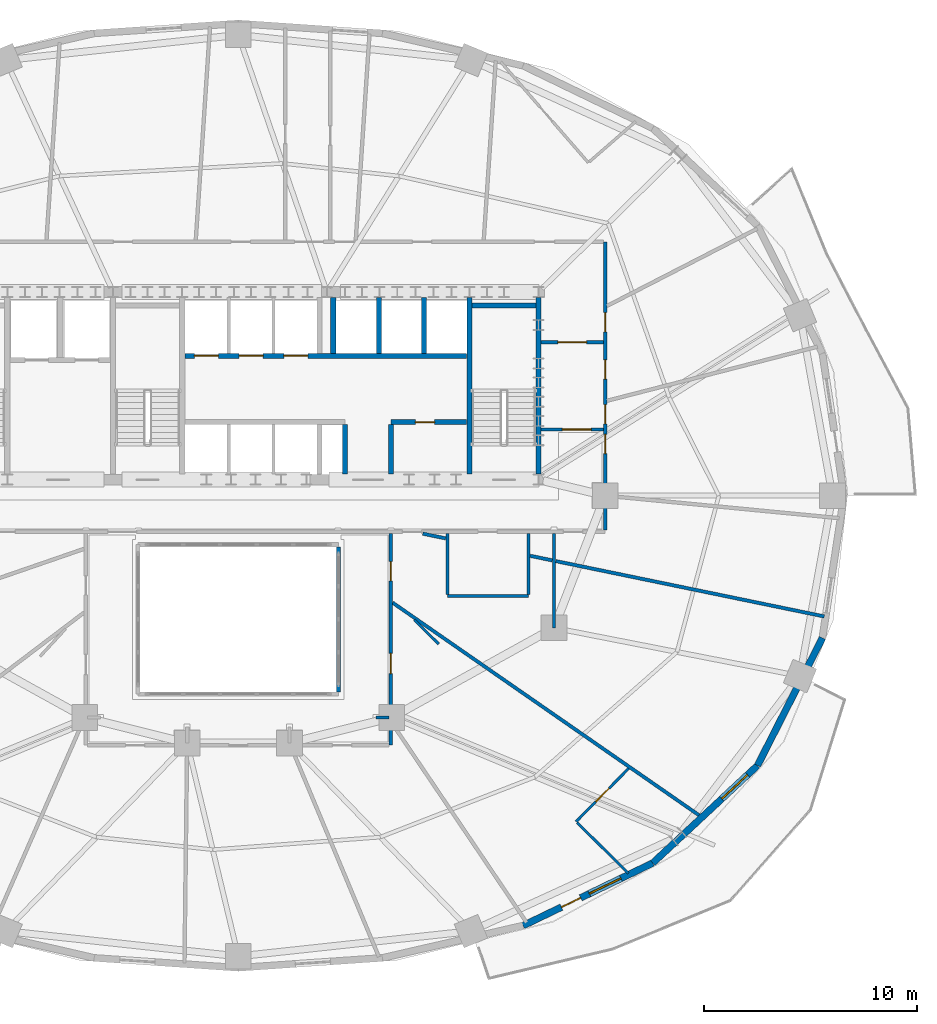
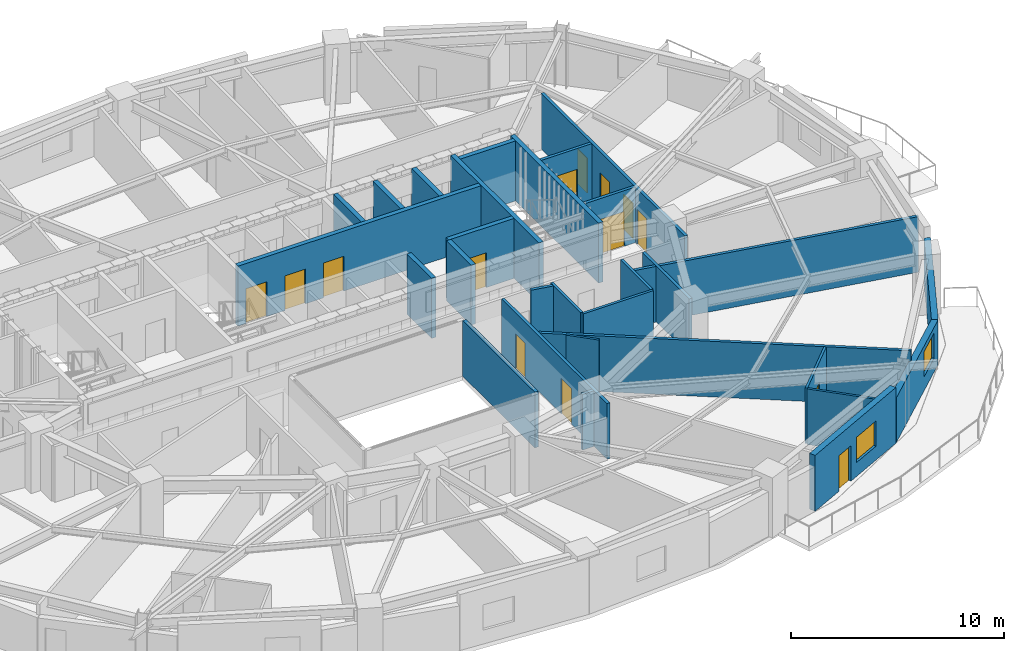
# One storey, part 9 of 14: 30 walls, 14 doors, 2 windows, 16 openings.
"""IFC4 building model written with IfcOpenShell, lengths in metres."""

from ifc_helpers import new_model, si_unit, direction, frame, frame_2d, origin, place, context, subcontext, project, spatial, rectangle, extrude, material, layer, layer_set, type_object, element, fill, save


model = new_model("IFC4")

# Units and contexts
model_context = context("Model", 3, precision=1e-05, world=origin(), true_north=direction((0.0, 1.0)))
body_context = subcontext(model_context, "Body", "Model", "MODEL_VIEW")
ifc_project = project(units=[si_unit("LENGTHUNIT", "METRE"), si_unit("AREAUNIT", "SQUARE_METRE"), si_unit("VOLUMEUNIT", "CUBIC_METRE"), si_unit("PLANEANGLEUNIT", "RADIAN"), si_unit("MASSUNIT", "GRAM", prefix="KILO")], contexts=[model_context])

# Site, building, storey
site_placement = place(None, origin())
site = spatial("IfcSite", under=ifc_project, at=site_placement, CompositionType="ELEMENT")
building_placement = place(site_placement, origin())
building = spatial("IfcBuilding", under=site, at=building_placement, Name="Haldorwick Loom Tower", CompositionType="ELEMENT")
storey_placement = place(building_placement, frame((0.0, 0.0, 99.050048828125)))
storey = spatial("IfcBuildingStorey", under=building, at=storey_placement, Name="L26", CompositionType="ELEMENT", Elevation=99.050048828125)

# Wall, openings, door, window
ifc_material_1 = material(Name="Pressed Clay Face Brick and Insulated Masonry Backup Assembly", Category="masonry")
ifc_layer_1 = layer(ifc_material_1, 0.320068359375, Name="Pressed Clay Face Brick and Insulated Masonry Backup Assembly", Category="masonry")
ifc_layer_set_1 = layer_set([ifc_layer_1], Name="Pressed Clay Face Brick and Insulated Masonry Backup Assembly")
wall_type_1 = type_object("IfcWallType", Name="ARC-WL-EXT320", PredefinedType="STANDARD", material=ifc_layer_set_1)
wall_1_placement = place(storey_placement, frame((49.352783203125, 5.841552734375, 0.0), z_axis=(0.0, 0.0, 1.0), x_axis=(0.900510094661, 0.434835106004, 0.0)))
wall_1 = element("IfcWall", 1, at=wall_1_placement, inside=storey, type_object=wall_type_1, Name="L26 Brick Pier and Spandrel Wall 21", PredefinedType="STANDARD", context=body_context, shape_type="SweptSolid", body=[
    extrude(rectangle(XDim=6.744873046875, YDim=0.320068359375, at=frame_2d((3.37255859375, 0.0))), origin(), (0.0, 0.0, 1.0), 3.2099609375),
])
opening_1_placement = place(wall_1_placement, frame((1.994873046875, 0.0, 0.0)))
opening_1 = element("IfcOpeningElement", 2, at=opening_1_placement, cuts=wall_1, Name="Opening D-BL10", PredefinedType="OPENING", context=body_context, shape_type="SweptSolid", body=[
    extrude(rectangle(XDim=1.0, YDim=2.0400390625, at=frame_2d((0.5, 1.02001953125))), frame((0.0, 0.169921875, 0.0), z_axis=(0.0, -1.0, 0.0), x_axis=(1.0, 0.0, 0.0)), (0.0, 0.0, 1.0), 0.340087890625),
])
opening_2_placement = place(wall_1_placement, frame((3.4423828125, 0.0, 0.800048828125)))
opening_2 = element("IfcOpeningElement", 3, at=opening_2_placement, cuts=wall_1, Name="Opening W-01B", PredefinedType="OPENING", context=body_context, shape_type="SweptSolid", body=[
    extrude(rectangle(XDim=1.64990234375, YDim=1.449951171875, at=frame_2d((0.824951171875, 0.72509765625))), frame((0.0, 0.169921875, 0.0), z_axis=(0.0, -1.0, 0.0), x_axis=(1.0, 0.0, 0.0)), (0.0, 0.0, 1.0), 0.340087890625),
])
ifc_material_2 = material(Name="Thermally Broken Anodized Aluminium Curtain Wall Framing", Category="aluminium")
door_type_1 = type_object("IfcDoorType", Name="ARC-DR-BAL100", OperationType="NOTDEFINED", PredefinedType="DOOR", material=ifc_material_2)
door_1_placement = place(opening_1_placement, origin())
door_1 = element("IfcDoor", 4, at=door_1_placement, inside=storey, type_object=door_type_1, Name="L26 Outdoor Terrace Door SLB-L26-BAL_SE", OperationType="SINGLE_SWING_RIGHT", OverallHeight=2.0400390625, OverallWidth=1.0, PredefinedType="DOOR", context=body_context, shape_type="SweptSolid", body=[
    extrude(rectangle(XDim=1.0, YDim=2.0400390625, at=frame_2d((0.5, 1.02001953125))), frame((0.0, 0.02490234375, 0.0), z_axis=(0.0, -1.0, 0.0), x_axis=(1.0, 0.0, 0.0)), (0.0, 0.0, 1.0), 0.050048828125),
])
fill(opening_1, door_1)
ifc_material_3 = material(Name="Triple-Glazed Low-E Argon Insulated Glazing Unit", Category="glass")
window_type = type_object("IfcWindowType", Name="ARC-WIN-W165", PartitioningType="SINGLE_PANEL", PredefinedType="WINDOW", material=ifc_material_3)
window_1_placement = place(opening_2_placement, origin())
window_1 = element("IfcWindow", 5, at=window_1_placement, inside=storey, type_object=window_type, Name="L26 Deep-Set Zone 7A Window 21", OverallHeight=1.449951171875, OverallWidth=1.64990234375, PartitioningType="SINGLE_PANEL", PredefinedType="WINDOW", context=body_context, shape_type="SweptSolid", body=[
    extrude(rectangle(XDim=1.64990234375, YDim=1.449951171875, at=frame_2d((0.824951171875, 0.72509765625))), frame((0.0, 0.030029296875, 0.0), z_axis=(0.0, -1.0, 0.0), x_axis=(1.0, 0.0, 0.0)), (0.0, 0.0, 1.0), 0.06005859375),
])
fill(opening_2, window_1)

# Wall, opening, window
wall_2_placement = place(storey_placement, frame((55.426513671875, 8.7744140625, 0.0), z_axis=(0.0, 0.0, 1.0), x_axis=(0.732137360086, 0.681157020052, 0.0)))
wall_2 = element("IfcWall", 6, at=wall_2_placement, inside=storey, type_object=wall_type_1, Name="L26 Brick Pier and Spandrel Wall 22", PredefinedType="STANDARD", context=body_context, shape_type="SweptSolid", body=[
    extrude(rectangle(XDim=6.709228515625, YDim=0.320068359375, at=frame_2d((3.3544921875, 0.0))), origin(), (0.0, 0.0, 1.0), 2.56884765625),
])
opening_3_placement = place(wall_2_placement, frame((4.41943359375, 0.0, 0.800048828125)))
opening_3 = element("IfcOpeningElement", 7, at=opening_3_placement, cuts=wall_2, Name="Opening W-01B", PredefinedType="OPENING", context=body_context, shape_type="SweptSolid", body=[
    extrude(rectangle(XDim=1.64990234375, YDim=1.449951171875, at=frame_2d((0.824951171875, 0.72509765625))), frame((0.0, 0.169921875, 0.0), z_axis=(0.0, -1.0, 0.0), x_axis=(1.0, 0.0, 0.0)), (0.0, 0.0, 1.0), 0.340087890625),
])
window_2_placement = place(opening_3_placement, origin())
window_2 = element("IfcWindow", 8, at=window_2_placement, inside=storey, type_object=window_type, Name="L26 Deep-Set Zone 7A Window 22", OverallHeight=1.449951171875, OverallWidth=1.64990234375, PartitioningType="SINGLE_PANEL", PredefinedType="WINDOW", context=body_context, shape_type="SweptSolid", body=[
    extrude(rectangle(XDim=1.64990234375, YDim=1.449951171875, at=frame_2d((0.824951171875, 0.72509765625))), frame((0.0, 0.030029296875, 0.0), z_axis=(0.0, -1.0, 0.0), x_axis=(1.0, 0.0, 0.0)), (0.0, 0.0, 1.0), 0.06005859375),
])
fill(opening_3, window_2)

# Wall
wall_3_placement = place(storey_placement, frame((60.338623046875, 13.344482421875, 0.0), z_axis=(0.0, 0.0, 1.0), x_axis=(0.453374078001, 0.89132033826, 0.0)))
element("IfcWall", 9, at=wall_3_placement, inside=storey, type_object=wall_type_1, Name="L26 Brick Pier and Spandrel Wall 23", PredefinedType="STANDARD", context=body_context, shape_type="SweptSolid", body=[
    extrude(rectangle(XDim=6.709716796875, YDim=0.320068359375, at=frame_2d((3.35498046875, 0.0))), origin(), (0.0, 0.0, 1.0), 2.56884765625),
])

# Wall, openings, doors
ifc_material_4 = material(Name="Fire-Rated Type X Gypsum Stud Assembly EI 60")
ifc_layer_2 = layer(ifc_material_4, 0.159912109375, Name="Fire-Rated Type X Gypsum Stud Assembly EI 60")
ifc_layer_set_2 = layer_set([ifc_layer_2], Name="Fire-Rated Type X Gypsum Stud Assembly EI 60")
wall_type_2 = type_object("IfcWallType", Name="ARC-WL-FIRE160", PredefinedType="PARTITIONING", material=ifc_layer_set_2)
wall_4_placement = place(storey_placement, frame((53.199951171875, 24.383056640625, 0.0), z_axis=(0.0, 0.0, 1.0), x_axis=(0.0, 1.0, 0.0)))
wall_4 = element("IfcWall", 10, at=wall_4_placement, inside=storey, type_object=wall_type_2, Name="L26 Residential Fire Partition L26-CR-E0", PredefinedType="PARTITIONING", context=body_context, shape_type="SweptSolid", body=[
    extrude(rectangle(XDim=13.516845703125, YDim=0.159912109375, at=frame_2d((6.75830078125, 0.0))), origin(), (0.0, 0.0, 1.0), 3.195068359375),
])
opening_4_placement = place(wall_4_placement, frame((3.5908203125, 0.0, 0.0)))
opening_4 = element("IfcOpeningElement", 11, at=opening_4_placement, cuts=wall_4, Name="Opening D-FD60A", PredefinedType="OPENING", context=body_context, shape_type="SweptSolid", body=[
    extrude(rectangle(XDim=0.89990234375, YDim=2.0, at=frame_2d((0.449951171875, 1.0))), frame((0.0, 0.08984375, 0.0), z_axis=(0.0, -1.0, 0.0), x_axis=(1.0, 0.0, 0.0)), (0.0, 0.0, 1.0), 0.179931640625),
])
opening_5_placement = place(wall_4_placement, frame((7.083984375, 0.0, 0.0)))
opening_5 = element("IfcOpeningElement", 12, at=opening_5_placement, cuts=wall_4, Name="Opening D-FD60A", PredefinedType="OPENING", context=body_context, shape_type="SweptSolid", body=[
    extrude(rectangle(XDim=0.89990234375, YDim=2.0, at=frame_2d((0.449951171875, 1.0))), frame((0.0, 0.08984375, 0.0), z_axis=(0.0, -1.0, 0.0), x_axis=(1.0, 0.0, 0.0)), (0.0, 0.0, 1.0), 0.179931640625),
])
opening_6_placement = place(wall_4_placement, frame((9.300048828125, 0.0, 0.0)))
opening_6 = element("IfcOpeningElement", 13, at=opening_6_placement, cuts=wall_4, Name="Opening D-FD60A", PredefinedType="OPENING", context=body_context, shape_type="SweptSolid", body=[
    extrude(rectangle(XDim=0.89990234375, YDim=2.0, at=frame_2d((0.449951171875, 1.0))), frame((0.0, 0.08984375, 0.0), z_axis=(0.0, -1.0, 0.0), x_axis=(1.0, 0.0, 0.0)), (0.0, 0.0, 1.0), 0.179931640625),
])
opening_7_placement = place(wall_4_placement, frame((4.97900390625, 0.0, 0.0)))
opening_7 = element("IfcOpeningElement", 14, at=opening_7_placement, cuts=wall_4, Name="Opening D-FD60A", PredefinedType="OPENING", context=body_context, shape_type="SweptSolid", body=[
    extrude(rectangle(XDim=0.89990234375, YDim=2.0, at=frame_2d((0.449951171875, 1.0))), frame((0.0, 0.08984375, 0.0), z_axis=(0.0, -1.0, 0.0), x_axis=(1.0, 0.0, 0.0)), (0.0, 0.0, 1.0), 0.179931640625),
])
ifc_material_5 = material(Name="Hollow Steel Fire Door Assembly", Category="steel")
door_type_2 = type_object("IfcDoorType", Name="ARC-DR-FD60-90", OperationType="NOTDEFINED", PredefinedType="DOOR", material=ifc_material_5)
door_2_placement = place(opening_4_placement, origin())
door_2 = element("IfcDoor", 15, at=door_2_placement, inside=storey, type_object=door_type_2, Name="L26 L26 Central Residential Corridor to Co-Working Open Office 8 Door", OperationType="SINGLE_SWING_LEFT", OverallHeight=2.0, OverallWidth=0.89990234375, PredefinedType="DOOR", context=body_context, shape_type="SweptSolid", body=[
    extrude(rectangle(XDim=0.89990234375, YDim=2.0, at=frame_2d((0.449951171875, 1.0))), frame((0.0, 0.02490234375, 0.0), z_axis=(0.0, -1.0, 0.0), x_axis=(1.0, 0.0, 0.0)), (0.0, 0.0, 1.0), 0.050048828125),
])
fill(opening_4, door_2)
door_3_placement = place(opening_5_placement, origin())
door_3 = element("IfcDoor", 16, at=door_3_placement, inside=storey, type_object=door_type_2, Name="L26 L26 East Residential Corridor to Co-Working Open Office 9 Door", OperationType="SINGLE_SWING_RIGHT", OverallHeight=2.0, OverallWidth=0.89990234375, PredefinedType="DOOR", context=body_context, shape_type="SweptSolid", body=[
    extrude(rectangle(XDim=0.89990234375, YDim=2.0, at=frame_2d((0.449951171875, 1.0))), frame((0.0, 0.02490234375, 0.0), z_axis=(0.0, -1.0, 0.0), x_axis=(1.0, 0.0, 0.0)), (0.0, 0.0, 1.0), 0.050048828125),
])
fill(opening_5, door_3)
door_4_placement = place(opening_6_placement, origin())
door_4 = element("IfcDoor", 17, at=door_4_placement, inside=storey, type_object=door_type_2, Name="L26 L26 North Residential Corridor to Co-Working Open Office 9 Door", OperationType="SINGLE_SWING_RIGHT", OverallHeight=2.0, OverallWidth=0.89990234375, PredefinedType="DOOR", context=body_context, shape_type="SweptSolid", body=[
    extrude(rectangle(XDim=0.89990234375, YDim=2.0, at=frame_2d((0.449951171875, 1.0))), frame((0.0, 0.02490234375, 0.0), z_axis=(0.0, -1.0, 0.0), x_axis=(1.0, 0.0, 0.0)), (0.0, 0.0, 1.0), 0.050048828125),
])
fill(opening_6, door_4)
door_5_placement = place(opening_7_placement, origin())
door_5 = element("IfcDoor", 18, at=door_5_placement, inside=storey, type_object=door_type_2, Name="L26 L26 East Residential Corridor to Co-Working Open Office 8 Door", OperationType="SINGLE_SWING_LEFT", OverallHeight=2.0, OverallWidth=0.89990234375, PredefinedType="DOOR", context=body_context, shape_type="SweptSolid", body=[
    extrude(rectangle(XDim=0.89990234375, YDim=2.0, at=frame_2d((0.449951171875, 1.0))), frame((0.0, 0.02490234375, 0.0), z_axis=(0.0, -1.0, 0.0), x_axis=(1.0, 0.0, 0.0)), (0.0, 0.0, 1.0), 0.050048828125),
])
fill(opening_7, door_5)

# Wall, opening, door
wall_5_placement = place(storey_placement, frame((50.193115234375, 29.10009765625, 0.0), z_axis=(0.0, 0.0, 1.0), x_axis=(1.0, 0.0, 0.0)))
wall_5 = element("IfcWall", 19, at=wall_5_placement, inside=storey, type_object=wall_type_2, Name="L26 Residential Fire Partition L26-CR-ESJ", PredefinedType="PARTITIONING", context=body_context, shape_type="SweptSolid", body=[
    extrude(rectangle(XDim=2.923828125, YDim=0.159912109375, at=frame_2d((1.4619140625, 0.0))), origin(), (0.0, 0.0, 1.0), 3.195068359375),
])
opening_8_placement = place(wall_5_placement, frame((0.99560546875, 0.0, 0.0)))
opening_8 = element("IfcOpeningElement", 20, at=opening_8_placement, cuts=wall_5, Name="Opening D-CR15", PredefinedType="OPENING", context=body_context, shape_type="SweptSolid", body=[
    extrude(rectangle(XDim=1.35009765625, YDim=2.0, at=frame_2d((0.675048828125, 1.0))), frame((0.0, 0.08984375, 0.0), z_axis=(0.0, -1.0, 0.0), x_axis=(1.0, 0.0, 0.0)), (0.0, 0.0, 1.0), 0.179931640625),
])
ifc_material_6 = material(Name="Thermally Broken Anodized Aluminium and Tempered Glass", Category="aluminium")
door_type_3 = type_object("IfcDoorType", Name="ARC-DR-COR150", OperationType="NOTDEFINED", PredefinedType="DOOR", material=ifc_material_6)
door_6_placement = place(opening_8_placement, origin())
door_6 = element("IfcDoor", 21, at=door_6_placement, inside=storey, type_object=door_type_3, Name="L26 L26 East Residential Corridor to L26 Central Residential Corridor Do", OperationType="DOUBLE_DOOR_SINGLE_SWING", OverallHeight=2.0, OverallWidth=1.35009765625, PredefinedType="DOOR", context=body_context, shape_type="SweptSolid", body=[
    extrude(rectangle(XDim=1.35009765625, YDim=2.0, at=frame_2d((0.675048828125, 1.0))), frame((0.0, 0.02490234375, 0.0), z_axis=(0.0, -1.0, 0.0), x_axis=(1.0, 0.0, 0.0)), (0.0, 0.0, 1.0), 0.050048828125),
])
fill(opening_8, door_6)

wall_6_placement = place(storey_placement, frame((50.193115234375, 33.199951171875, 0.0), z_axis=(0.0, 0.0, 1.0), x_axis=(1.0, 0.0, 0.0)))
wall_6 = element("IfcWall", 22, at=wall_6_placement, inside=storey, type_object=wall_type_2, Name="L26 Residential Fire Partition L26-CR-ENJ", PredefinedType="PARTITIONING", context=body_context, shape_type="SweptSolid", body=[
    extrude(rectangle(XDim=2.923828125, YDim=0.159912109375, at=frame_2d((1.4619140625, 0.0))), origin(), (0.0, 0.0, 1.0), 3.195068359375),
])
opening_9_placement = place(wall_6_placement, frame((0.787109375, 0.0, 0.0)))
opening_9 = element("IfcOpeningElement", 23, at=opening_9_placement, cuts=wall_6, Name="Opening D-CR15", PredefinedType="OPENING", context=body_context, shape_type="SweptSolid", body=[
    extrude(rectangle(XDim=1.35009765625, YDim=2.0, at=frame_2d((0.675048828125, 1.0))), frame((0.0, 0.08984375, 0.0), z_axis=(0.0, -1.0, 0.0), x_axis=(1.0, 0.0, 0.0)), (0.0, 0.0, 1.0), 0.179931640625),
])
door_7_placement = place(opening_9_placement, origin())
door_7 = element("IfcDoor", 24, at=door_7_placement, inside=storey, type_object=door_type_3, Name="L26 L26 North Residential Corridor to L26 East Residential Corridor Door", OperationType="DOUBLE_DOOR_SINGLE_SWING", OverallHeight=2.0, OverallWidth=1.35009765625, PredefinedType="DOOR", context=body_context, shape_type="SweptSolid", body=[
    extrude(rectangle(XDim=1.35009765625, YDim=2.0, at=frame_2d((0.675048828125, 1.0))), frame((0.0, 0.02490234375, 0.0), z_axis=(0.0, -1.0, 0.0), x_axis=(1.0, 0.0, 0.0)), (0.0, 0.0, 1.0), 0.050048828125),
])
fill(opening_9, door_7)

# Wall, openings, doors
wall_7_placement = place(storey_placement, frame((43.14990234375, 14.300048828125, 0.0), z_axis=(0.0, 0.0, 1.0), x_axis=(0.0, 1.0, 0.0)))
wall_7 = element("IfcWall", 25, at=wall_7_placement, inside=storey, type_object=wall_type_2, Name="L26 Residential Fire Partition L26-CR-AE", PredefinedType="PARTITIONING", context=body_context, shape_type="SweptSolid", body=[
    extrude(rectangle(XDim=9.9169921875, YDim=0.159912109375, at=frame_2d((4.95849609375, 0.0))), origin(), (0.0, 0.0, 1.0), 3.195068359375),
])
opening_10_placement = place(wall_7_placement, frame((3.349853515625, 0.0, 0.0)))
opening_10 = element("IfcOpeningElement", 26, at=opening_10_placement, cuts=wall_7, Name="Opening D-FL95", PredefinedType="OPENING", context=body_context, shape_type="SweptSolid", body=[
    extrude(rectangle(XDim=0.949951171875, YDim=2.0400390625, at=frame_2d((0.47509765625, 1.02001953125))), frame((0.0, 0.08984375, 0.0), z_axis=(0.0, -1.0, 0.0), x_axis=(1.0, 0.0, 0.0)), (0.0, 0.0, 1.0), 0.179931640625),
])
opening_11_placement = place(wall_7_placement, frame((7.7041015625, 0.0, 0.0)))
opening_11 = element("IfcOpeningElement", 27, at=opening_11_placement, cuts=wall_7, Name="Opening D-FD60A", PredefinedType="OPENING", context=body_context, shape_type="SweptSolid", body=[
    extrude(rectangle(XDim=0.89990234375, YDim=2.0, at=frame_2d((0.449951171875, 1.0))), frame((0.0, 0.08984375, 0.0), z_axis=(0.0, -1.0, 0.0), x_axis=(1.0, 0.0, 0.0)), (0.0, 0.0, 1.0), 0.179931640625),
])
door_8_placement = place(opening_11_placement, origin())
door_8 = element("IfcDoor", 28, at=door_8_placement, inside=storey, type_object=door_type_2, Name="L26 L26 South Atrium Corridor to Co-Working Open Office 15 Door", OperationType="SINGLE_SWING_RIGHT", OverallHeight=2.0, OverallWidth=0.89990234375, PredefinedType="DOOR", context=body_context, shape_type="SweptSolid", body=[
    extrude(rectangle(XDim=0.89990234375, YDim=2.0, at=frame_2d((0.449951171875, 1.0))), frame((0.0, 0.02490234375, 0.0), z_axis=(0.0, -1.0, 0.0), x_axis=(1.0, 0.0, 0.0)), (0.0, 0.0, 1.0), 0.050048828125),
])
fill(opening_11, door_8)
ifc_material_7 = material(Name="Solid Core Birch Architectural Door")
door_type_4 = type_object("IfcDoorType", Name="ARC-DR-FLAT95", OperationType="NOTDEFINED", PredefinedType="DOOR", material=ifc_material_7)
door_9_placement = place(opening_10_placement, origin())
door_9 = element("IfcDoor", 29, at=door_9_placement, inside=storey, type_object=door_type_4, Name="L26 L26 South Atrium Corridor to Unit 26N Kitchen and Studio Living Room", OperationType="SINGLE_SWING_RIGHT", OverallHeight=2.0400390625, OverallWidth=0.949951171875, PredefinedType="DOOR", context=body_context, shape_type="SweptSolid", body=[
    extrude(rectangle(XDim=0.949951171875, YDim=2.0400390625, at=frame_2d((0.47509765625, 1.02001953125))), frame((0.0, 0.02490234375, 0.0), z_axis=(0.0, -1.0, 0.0), x_axis=(1.0, 0.0, 0.0)), (0.0, 0.0, 1.0), 0.050048828125),
])
fill(opening_10, door_9)

# Walls
wall_8_placement = place(storey_placement, frame((50.800048828125, 24.217041015625, 0.0), z_axis=(0.0, 0.0, 1.0), x_axis=(0.0, -1.0, 0.0)))
element("IfcWall", 30, at=wall_8_placement, inside=storey, type_object=wall_type_2, Name="L26 Residential Fire Partition L26-ICA-02", PredefinedType="PARTITIONING", context=body_context, shape_type="SweptSolid", body=[
    extrude(rectangle(XDim=4.4169921875, YDim=0.159912109375, at=frame_2d((2.20849609375, 0.0))), origin(), (0.0, 0.0, 1.0), 3.195068359375),
])
wall_9_placement = place(storey_placement, frame((42.449951171875, 15.60009765625, 0.0), z_axis=(0.0, 0.0, 1.0), x_axis=(1.0, 0.0, 0.0)))
element("IfcWall", 31, at=wall_9_placement, inside=storey, type_object=wall_type_2, Name="L26 Residential Fire Partition L26-ICA-03", PredefinedType="PARTITIONING", context=body_context, shape_type="SweptSolid", body=[
    extrude(rectangle(XDim=0.616943359375, YDim=0.159912109375, at=frame_2d((0.30859375, 0.0))), origin(), (0.0, 0.0, 1.0), 3.195068359375),
])
wall_10_placement = place(storey_placement, frame((43.23291015625, 20.982421875, 0.0), z_axis=(0.0, 0.0, 1.0), x_axis=(0.821645974987, -0.569998150689, 0.0)))
element("IfcWall", 32, at=wall_10_placement, inside=storey, type_object=wall_type_2, Name="L26 Suite Split Wall", PredefinedType="PARTITIONING", context=body_context, shape_type="SweptSolid", body=[
    extrude(rectangle(XDim=17.583251953125, YDim=0.159912109375, at=frame_2d((8.79150390625, 0.0))), origin(), (0.0, 0.0, 1.0), 3.195068359375),
])
wall_11_placement = place(storey_placement, frame((44.6474609375, 24.217041015625, 0.0), z_axis=(0.0, 0.0, 1.0), x_axis=(0.9793875082, -0.201990368041, 0.0)))
element("IfcWall", 33, at=wall_11_placement, inside=storey, type_object=wall_type_2, Name="L26 Suite Split Wall", PredefinedType="PARTITIONING", context=body_context, shape_type="SweptSolid", body=[
    extrude(rectangle(XDim=1.102294921875, YDim=0.159912109375, at=frame_2d((0.55126953125, 0.0))), origin(), (0.0, 0.0, 1.0), 3.195068359375),
])
wall_12_placement = place(storey_placement, frame((49.673095703125, 23.1806640625, 0.0), z_axis=(0.0, 0.0, 1.0), x_axis=(0.979427759859, -0.201795102066, 0.0)))
element("IfcWall", 34, at=wall_12_placement, inside=storey, type_object=wall_type_2, Name="L26 Suite Split Wall", PredefinedType="PARTITIONING", context=body_context, shape_type="SweptSolid", body=[
    extrude(rectangle(XDim=1.06591796875, YDim=0.159912109375, at=frame_2d((0.532958984375, 0.0))), origin(), (0.0, 0.0, 1.0), 3.195068359375),
])
wall_13_placement = place(storey_placement, frame((50.883056640625, 22.931396484375, 0.0), z_axis=(0.0, 0.0, 1.0), x_axis=(0.979394861214, -0.201954712318, 0.0)))
element("IfcWall", 35, at=wall_13_placement, inside=storey, type_object=wall_type_2, Name="L26 Suite Split Wall", PredefinedType="PARTITIONING", context=body_context, shape_type="SweptSolid", body=[
    extrude(rectangle(XDim=12.8505859375, YDim=0.159912109375, at=frame_2d((6.42529296875, 0.0))), origin(), (0.0, 0.0, 1.0), 3.195068359375),
])
ifc_material_8 = material(Name="Fire-Rated Type X Gypsum Stud Assembly EI 120")
ifc_layer_3 = layer(ifc_material_8, 0.199951171875, Name="Fire-Rated Type X Gypsum Stud Assembly EI 120")
ifc_layer_set_3 = layer_set([ifc_layer_3], Name="Fire-Rated Type X Gypsum Stud Assembly EI 120")
wall_type_3 = type_object("IfcWallType", Name="ARC-WL-FIRE200", PredefinedType="PARTITIONING", material=ifc_layer_set_3)
wall_14_placement = place(storey_placement, frame((40.699951171875, 23.596923828125, 0.0), z_axis=(0.0, 0.0, 1.0), x_axis=(0.0, -1.0, 0.0)))
element("IfcWall", 36, at=wall_14_placement, inside=storey, type_object=wall_type_3, Name="L26 Atrium Fire Enclosure Wall E", PredefinedType="PARTITIONING", context=body_context, shape_type="SweptSolid", body=[
    extrude(rectangle(XDim=6.7939453125, YDim=0.199951171875, at=frame_2d((3.39697265625, 0.0))), origin(), (0.0, 0.0, 1.0), 3.195068359375),
])
ifc_material_9 = material(Name="Acoustic Gypsum Stud Assembly STC 55")
ifc_layer_4 = layer(ifc_material_9, 0.1201171875, Name="Acoustic Gypsum Stud Assembly STC 55")
ifc_layer_set_4 = layer_set([ifc_layer_4], Name="Acoustic Gypsum Stud Assembly STC 55")
wall_type_4 = type_object("IfcWallType", Name="ARC-WL-PART120", PredefinedType="PARTITIONING", material=ifc_layer_set_4)
wall_15_placement = place(storey_placement, frame((44.256103515625, 20.171630859375, 0.0), z_axis=(0.0, 0.0, 1.0), x_axis=(0.711140117088, -0.703050306784, 0.0)))
element("IfcWall", 37, at=wall_15_placement, inside=storey, type_object=wall_type_4, Name="L26 Unit 26N Interior Partition", PredefinedType="PARTITIONING", context=body_context, shape_type="SweptSolid", body=[
    extrude(rectangle(XDim=1.599365234375, YDim=0.1201171875, at=frame_2d((0.7998046875, 0.0))), origin(), (0.0, 0.0, 1.0), 3.195068359375),
])

# Wall, opening, door
wall_16_placement = place(storey_placement, frame((51.836181640625, 10.718017578125, 0.0), z_axis=(0.0, 0.0, 1.0), x_axis=(0.703083561001, 0.711107239627, 0.0)))
wall_16 = element("IfcWall", 38, at=wall_16_placement, inside=storey, type_object=wall_type_4, Name="L26 Unit 26N Interior Partition", PredefinedType="PARTITIONING", context=body_context, shape_type="SweptSolid", body=[
    extrude(rectangle(XDim=3.499267578125, YDim=0.1201171875, at=frame_2d((1.74951171875, 0.0))), origin(), (0.0, 0.0, 1.0), 3.195068359375),
])
opening_12_placement = place(wall_16_placement, frame((1.3095703125, 0.0, 0.0)))
opening_12 = element("IfcOpeningElement", 39, at=opening_12_placement, cuts=wall_16, Name="Opening D-BT88", PredefinedType="OPENING", context=body_context, shape_type="SweptSolid", body=[
    extrude(rectangle(XDim=0.8798828125, YDim=2.02001953125, at=frame_2d((0.43994140625, 1.010009765625))), frame((0.0, 0.070068359375, 0.0), z_axis=(0.0, -1.0, 0.0), x_axis=(1.0, 0.0, 0.0)), (0.0, 0.0, 1.0), 0.14013671875),
])
door_type_5 = type_object("IfcDoorType", Name="ARC-DR-BATH88", OperationType="NOTDEFINED", PredefinedType="DOOR", material=ifc_material_7)
door_10_placement = place(opening_12_placement, origin())
door_10 = element("IfcDoor", 40, at=door_10_placement, inside=storey, type_object=door_type_5, Name="L26 Unit 26N Kitchen and Studio Living Room to Unit 26N Bathroom Door", OperationType="SINGLE_SWING_LEFT", OverallHeight=2.02001953125, OverallWidth=0.8798828125, PredefinedType="DOOR", context=body_context, shape_type="SweptSolid", body=[
    extrude(rectangle(XDim=0.8798828125, YDim=2.02001953125, at=frame_2d((0.43994140625, 1.010009765625))), frame((0.0, 0.02490234375, 0.0), z_axis=(0.0, -1.0, 0.0), x_axis=(1.0, 0.0, 0.0)), (0.0, 0.0, 1.0), 0.050048828125),
])
fill(opening_12, door_10)

# Walls
wall_17_placement = place(storey_placement, frame((51.881103515625, 10.673583984375, 0.0), z_axis=(0.0, 0.0, 1.0), x_axis=(0.711137831778, -0.703052618382, 0.0)))
element("IfcWall", 41, at=wall_17_placement, inside=storey, type_object=wall_type_4, Name="L26 Unit 26N Interior Partition", PredefinedType="PARTITIONING", context=body_context, shape_type="SweptSolid", body=[
    extrude(rectangle(XDim=3.3818359375, YDim=0.1201171875, at=frame_2d((1.69091796875, 0.0))), origin(), (0.0, 0.0, 1.0), 3.195068359375),
])
ifc_layer_5 = layer(ifc_material_4, 0.139892578125, Name="Fire-Rated Type X Gypsum Stud Assembly EI 60")
ifc_layer_set_5 = layer_set([ifc_layer_5], Name="Fire-Rated Type X Gypsum Stud Assembly EI 60")
wall_type_5 = type_object("IfcWallType", Name="ARC-WL-PART140", PredefinedType="PARTITIONING", material=ifc_layer_set_5)
wall_18_placement = place(storey_placement, frame((45.800048828125, 21.300048828125, 0.0), z_axis=(0.0, 0.0, 1.0), x_axis=(1.0, 0.0, 0.0)))
element("IfcWall", 42, at=wall_18_placement, inside=storey, type_object=wall_type_5, Name="L26 Residential Fire Partition L26-CWC-S", PredefinedType="PARTITIONING", context=body_context, shape_type="SweptSolid", body=[
    extrude(rectangle(XDim=3.800048828125, YDim=0.139892578125, at=frame_2d((1.89990234375, 0.0))), origin(), (0.0, 0.0, 1.0), 3.195068359375),
])
for number, where, z_axis, x_axis, name in (
    (43, (45.800048828125, 21.373046875, 0.0), (0.0, 0.0, 1.0), (0.0, 1.0, 0.0), "L26 Residential Fire Partition L26-CWC-W"),
    (44, (49.60009765625, 21.373046875, 0.0), (0.0, 0.0, 1.0), (0.0, 1.0, 0.0), "L26 Residential Fire Partition L26-CWC-E"),
):
    element("IfcWall", number, at=place(storey_placement, frame(where, z_axis=z_axis, x_axis=x_axis)), inside=storey, type_object=wall_type_5, Name=name, PredefinedType="PARTITIONING", context=body_context, shape_type="SweptSolid", body=[
        extrude(rectangle(XDim=2.843994140625, YDim=0.139892578125, at=frame_2d((1.421875, 0.0))), origin(), (0.0, 0.0, 1.0), 3.195068359375),
    ])
ifc_material_10 = material(Name="Concrete C50 (50 MPa)", Category="concrete")
ifc_layer_6 = layer(ifc_material_10, 0.239990234375, Name="Concrete C50 (50 MPa)", Category="concrete")
ifc_layer_set_6 = layer_set([ifc_layer_6], Name="Concrete C50 (50 MPa)")
wall_type_6 = type_object("IfcWallType", Name="STR-WL-SHAFT240", PredefinedType="SHEAR", material=ifc_layer_set_6)
for number, where, z_axis, x_axis, name in (
    (45, (50.070068359375, 27.0029296875, 0.0), (0.0, 0.0, 1.0), (0.0, 1.0, 0.0), "L26 Core Shear Wall E"),
    (46, (46.830078125, 27.0029296875, 0.0), (0.0, 0.0, 1.0), (0.0, 1.0, 0.0), "L26 Core Shear Wall 4"),
):
    element("IfcWall", number, at=place(storey_placement, frame(where, z_axis=z_axis, x_axis=x_axis)), inside=storey, type_object=wall_type_6, Name=name, PredefinedType="SHEAR", context=body_context, shape_type="SweptSolid", body=[
        extrude(rectangle(XDim=8.294189453125, YDim=0.239990234375, at=frame_2d((4.14697265625, 0.0))), origin(), (0.0, 0.0, 1.0), 3.449951171875),
    ])
wall_19_placement = place(storey_placement, frame((46.952880859375, 34.919921875, 0.0), z_axis=(0.0, 0.0, 1.0), x_axis=(1.0, 0.0, 0.0)))
element("IfcWall", 47, at=wall_19_placement, inside=storey, type_object=wall_type_6, Name="L26 Core Shear Wall 4N", PredefinedType="SHEAR", context=body_context, shape_type="SweptSolid", body=[
    extrude(rectangle(XDim=2.994140625, YDim=0.239990234375, at=frame_2d((1.4970703125, 0.0))), origin(), (0.0, 0.0, 1.0), 3.449951171875),
])

# Wall, openings, doors
wall_20_placement = place(storey_placement, frame((33.492919921875, 32.550048828125, 0.0), z_axis=(0.0, 0.0, 1.0), x_axis=(1.0, 0.0, 0.0)))
wall_20 = element("IfcWall", 48, at=wall_20_placement, inside=storey, type_object=wall_type_6, Name="L26 Core Shear Wall LN", PredefinedType="SHEAR", context=body_context, shape_type="SweptSolid", body=[
    extrude(rectangle(XDim=13.214111328125, YDim=0.239990234375, at=frame_2d((6.60693359375, 0.0))), origin(), (0.0, 0.0, 1.0), 3.449951171875),
])
opening_13_placement = place(wall_20_placement, frame((0.447021484375, 0.0, 0.0)))
opening_13 = element("IfcOpeningElement", 49, at=opening_13_placement, cuts=wall_20, Name="Opening LD-L1", PredefinedType="OPENING", context=body_context, shape_type="SweptSolid", body=[
    extrude(rectangle(XDim=1.1201171875, YDim=2.0, at=frame_2d((0.56005859375, 1.0))), frame((0.0, 0.1298828125, 0.0), z_axis=(0.0, -1.0, 0.0), x_axis=(1.0, 0.0, 0.0)), (0.0, 0.0, 1.0), 0.260009765625),
])
opening_14_placement = place(wall_20_placement, frame((2.547119140625, 0.0, 0.0)))
opening_14 = element("IfcOpeningElement", 50, at=opening_14_placement, cuts=wall_20, Name="Opening LD-L2", PredefinedType="OPENING", context=body_context, shape_type="SweptSolid", body=[
    extrude(rectangle(XDim=1.1201171875, YDim=2.0, at=frame_2d((0.56005859375, 1.0))), frame((0.0, 0.1298828125, 0.0), z_axis=(0.0, -1.0, 0.0), x_axis=(1.0, 0.0, 0.0)), (0.0, 0.0, 1.0), 0.260009765625),
])
opening_15_placement = place(wall_20_placement, frame((4.64697265625, 0.0, 0.0)))
opening_15 = element("IfcOpeningElement", 51, at=opening_15_placement, cuts=wall_20, Name="Opening LD-L3", PredefinedType="OPENING", context=body_context, shape_type="SweptSolid", body=[
    extrude(rectangle(XDim=1.1201171875, YDim=2.0, at=frame_2d((0.56005859375, 1.0))), frame((0.0, 0.1298828125, 0.0), z_axis=(0.0, -1.0, 0.0), x_axis=(1.0, 0.0, 0.0)), (0.0, 0.0, 1.0), 0.260009765625),
])
door_type_6 = type_object("IfcDoorType", Name="ARC-DR-LD-PAX", OperationType="NOTDEFINED", PredefinedType="USERDEFINED", material=ifc_material_5)
door_11_placement = place(opening_13_placement, origin())
door_11 = element("IfcDoor", 52, at=door_11_placement, inside=storey, type_object=door_type_6, Name="L26 Lift LF-L1 Sliding Landing Door", ObjectType="LANDING DOOR", OperationType="DOUBLE_DOOR_SLIDING", OverallHeight=2.0, OverallWidth=1.1201171875, PredefinedType="USERDEFINED", context=body_context, shape_type="SweptSolid", body=[
    extrude(rectangle(XDim=1.1201171875, YDim=2.0, at=frame_2d((0.56005859375, 1.0))), frame((0.0, 0.02490234375, 0.0), z_axis=(0.0, -1.0, 0.0), x_axis=(1.0, 0.0, 0.0)), (0.0, 0.0, 1.0), 0.050048828125),
])
fill(opening_13, door_11)
door_12_placement = place(opening_14_placement, origin())
door_12 = element("IfcDoor", 53, at=door_12_placement, inside=storey, type_object=door_type_6, Name="L26 Lift LF-L2 Sliding Landing Door", ObjectType="LANDING DOOR", OperationType="DOUBLE_DOOR_SLIDING", OverallHeight=2.0, OverallWidth=1.1201171875, PredefinedType="USERDEFINED", context=body_context, shape_type="SweptSolid", body=[
    extrude(rectangle(XDim=1.1201171875, YDim=2.0, at=frame_2d((0.56005859375, 1.0))), frame((0.0, 0.02490234375, 0.0), z_axis=(0.0, -1.0, 0.0), x_axis=(1.0, 0.0, 0.0)), (0.0, 0.0, 1.0), 0.050048828125),
])
fill(opening_14, door_12)
door_13_placement = place(opening_15_placement, origin())
door_13 = element("IfcDoor", 54, at=door_13_placement, inside=storey, type_object=door_type_6, Name="L26 Lift LF-L3 Sliding Landing Door", ObjectType="LANDING DOOR", OperationType="DOUBLE_DOOR_SLIDING", OverallHeight=2.0, OverallWidth=1.1201171875, PredefinedType="USERDEFINED", context=body_context, shape_type="SweptSolid", body=[
    extrude(rectangle(XDim=1.1201171875, YDim=2.0, at=frame_2d((0.56005859375, 1.0))), frame((0.0, 0.02490234375, 0.0), z_axis=(0.0, -1.0, 0.0), x_axis=(1.0, 0.0, 0.0)), (0.0, 0.0, 1.0), 0.050048828125),
])
fill(opening_15, door_13)

# Wall, opening, door
wall_21_placement = place(storey_placement, frame((43.14990234375, 29.449951171875, 0.0), z_axis=(0.0, 0.0, 1.0), x_axis=(1.0, 0.0, 0.0)))
wall_21 = element("IfcWall", 55, at=wall_21_placement, inside=storey, type_object=wall_type_6, Name="L26 Core Shear Wall LS2", PredefinedType="SHEAR", context=body_context, shape_type="SweptSolid", body=[
    extrude(rectangle(XDim=3.55712890625, YDim=0.239990234375, at=frame_2d((1.778564453125, 0.0))), origin(), (0.0, 0.0, 1.0), 3.449951171875),
])
opening_16_placement = place(wall_21_placement, frame((1.14990234375, 0.0, 0.0)))
opening_16 = element("IfcOpeningElement", 56, at=opening_16_placement, cuts=wall_21, Name="Opening D-FD60A", PredefinedType="OPENING", context=body_context, shape_type="SweptSolid", body=[
    extrude(rectangle(XDim=0.89990234375, YDim=2.0, at=frame_2d((0.449951171875, 1.0))), frame((0.0, 0.1298828125, 0.0), z_axis=(0.0, -1.0, 0.0), x_axis=(1.0, 0.0, 0.0)), (0.0, 0.0, 1.0), 0.260009765625),
])
door_14_placement = place(opening_16_placement, origin())
door_14 = element("IfcDoor", 57, at=door_14_placement, inside=storey, type_object=door_type_2, Name="L26 Electrical Metering Door", OperationType="SINGLE_SWING_LEFT", OverallHeight=2.0, OverallWidth=0.89990234375, PredefinedType="DOOR", context=body_context, shape_type="SweptSolid", body=[
    extrude(rectangle(XDim=0.89990234375, YDim=2.0, at=frame_2d((0.449951171875, 1.0))), frame((0.0, 0.02490234375, 0.0), z_axis=(0.0, -1.0, 0.0), x_axis=(1.0, 0.0, 0.0)), (0.0, 0.0, 1.0), 0.050048828125),
])
fill(opening_16, door_14)

# Walls
for number, where, z_axis, x_axis, name in (
    (58, (41.0, 27.0029296875, 0.0), (0.0, 0.0, 1.0), (0.0, 1.0, 0.0), "L26 Core Shear Wall THW"),
    (59, (43.14990234375, 27.0029296875, 0.0), (0.0, 0.0, 1.0), (0.0, 1.0, 0.0), "L26 Core Shear Wall THE"),
):
    element("IfcWall", number, at=place(storey_placement, frame(where, z_axis=z_axis, x_axis=x_axis)), inside=storey, type_object=wall_type_6, Name=name, PredefinedType="SHEAR", context=body_context, shape_type="SweptSolid", body=[
        extrude(rectangle(XDim=2.323974609375, YDim=0.239990234375, at=frame_2d((1.162109375, 0.0))), origin(), (0.0, 0.0, 1.0), 3.449951171875),
    ])
for number, where, z_axis, x_axis, name in (
    (60, (40.449951171875, 32.673095703125, 0.0), (0.0, 0.0, 1.0), (0.0, 1.0, 0.0), "L26 Core Shear Wall H0"),
    (61, (42.60009765625, 32.673095703125, 0.0), (0.0, 0.0, 1.0), (0.0, 1.0, 0.0), "L26 Core Shear Wall H1"),
    (62, (44.699951171875, 32.673095703125, 0.0), (0.0, 0.0, 1.0), (0.0, 1.0, 0.0), "L26 Core Shear Wall H2"),
):
    element("IfcWall", number, at=place(storey_placement, frame(where, z_axis=z_axis, x_axis=x_axis)), inside=storey, type_object=wall_type_6, Name=name, PredefinedType="SHEAR", context=body_context, shape_type="SweptSolid", body=[
        extrude(rectangle(XDim=2.6240234375, YDim=0.239990234375, at=frame_2d((1.31201171875, 0.0))), origin(), (0.0, 0.0, 1.0), 3.449951171875),
    ])

save(model, "model.ifc")
